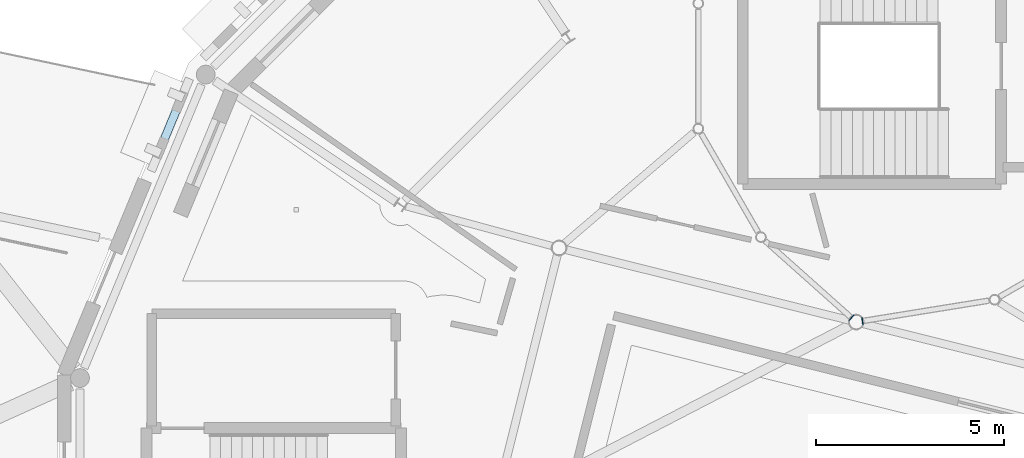
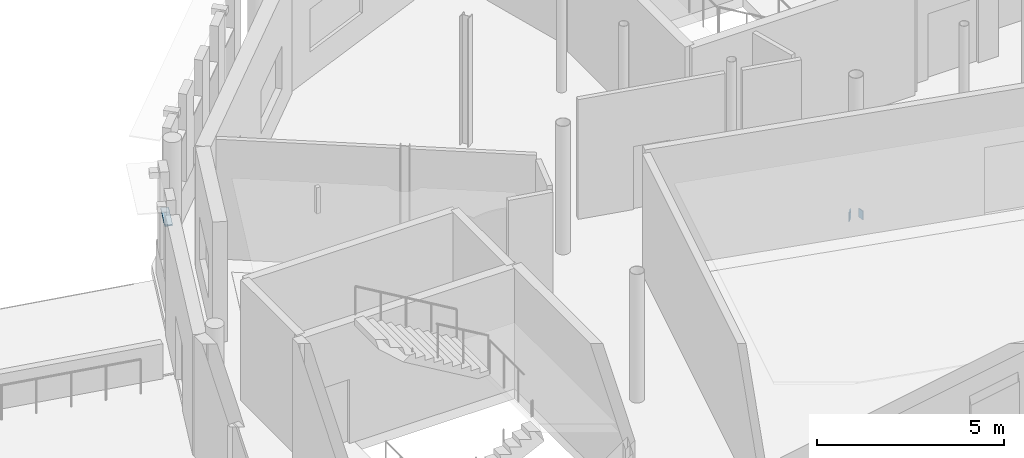
# One storey, part 49 of 90: 3 plates.
"""IFC4 building model written with IfcOpenShell, lengths in metres."""

from ifc_helpers import new_model, si_unit, direction, frame, origin, origin_2d, place, context, subcontext, project, spatial, rectangle, extrude, material, layer, layer_set, type_object, element, save


model = new_model("IFC4")

# Units and contexts
model_context = context("Model", 3, precision=1e-05, world=origin(), true_north=direction((0.0, 1.0)))
body_context = subcontext(model_context, "Body", "Model", "MODEL_VIEW")
ifc_project = project(units=[si_unit("LENGTHUNIT", "METRE"), si_unit("AREAUNIT", "SQUARE_METRE"), si_unit("VOLUMEUNIT", "CUBIC_METRE"), si_unit("PLANEANGLEUNIT", "RADIAN"), si_unit("MASSUNIT", "GRAM", prefix="KILO")], contexts=[model_context])

# Site, building, storey
site_placement = place(None, origin())
site = spatial("IfcSite", under=ifc_project, at=site_placement, CompositionType="ELEMENT")
building_placement = place(site_placement, origin())
building = spatial("IfcBuilding", under=site, at=building_placement, Name="Wrenclough Park School", CompositionType="ELEMENT")
storey_placement = place(building_placement, frame((0.0, 0.0, 8.39990234375)))
storey = spatial("IfcBuildingStorey", under=building, at=storey_placement, Name="L02", CompositionType="ELEMENT", Elevation=8.39990234375)

# Plates
ifc_material_1 = material(Name="Anodised architectural aluminium solar shading fin plate", Category="aluminium")
ifc_layer_1 = layer(ifc_material_1, 0.0380859375)
ifc_layer_set_1 = layer_set([ifc_layer_1], Name="Anodised architectural aluminium solar shading fin plate")
plate_type_1 = type_object("IfcPlateType", Name="ENV-PL-BSF", PredefinedType="SHEET", material=ifc_layer_set_1)
plate_placement = place(storey_placement, frame((135.8896484375, 37.633056640625, 2.72216796875), z_axis=(0.0, 0.0, 1.0), x_axis=(-0.38269828096, -0.923873381882, 0.0)))
element("IfcPlate", 1, at=plate_placement, inside=storey, type_object=plate_type_1, Name="D1 L02 open-bond brick screen tie band 0301", PredefinedType="SHEET", context=body_context, shape_type="SweptSolid", body=[
    extrude(rectangle(XDim=0.823974609375, YDim=0.219970703125, at=origin_2d()), origin(), (0.0, 0.0, 1.0), 0.0419921875),
])
ifc_material_2 = material(Name="Structural steel S355", Category="steel")
ifc_layer_2 = layer(ifc_material_2, 0.2900390625)
ifc_layer_set_2 = layer_set([ifc_layer_2], Name="Structural steel S355")
plate_type_2 = type_object("IfcPlateType", Name="STR-PL-EP250", PredefinedType="SHEET", material=ifc_layer_set_2)
for number, where, z_axis, x_axis, name in (
    (2, (154.0537109375, 32.486328125, -0.594970703125), (0.0, 0.0, 1.0), (0.746405927603, -0.665490940013, 0.0), "D1-SH L02 ring beam 7 end sealing end-cap plate"),
    (3, (154.346435546875, 32.40087890625, -0.594970703125), (0.0, 0.0, 1.0), (0.987219843349, 0.15936430246, 0.0), "D1-SH L02 ring beam 8 start sealing end-cap plate"),
):
    element("IfcPlate", number, at=place(storey_placement, frame(where, z_axis=z_axis, x_axis=x_axis)), inside=storey, type_object=plate_type_2, Name=name, PredefinedType="SHEET", context=body_context, shape_type="SweptSolid", body=[
        extrude(rectangle(XDim=0.02197265625, YDim=0.18994140625, at=origin_2d()), origin(), (0.0, 0.0, 1.0), 0.2900390625),
    ])

save(model, "model.ifc")
